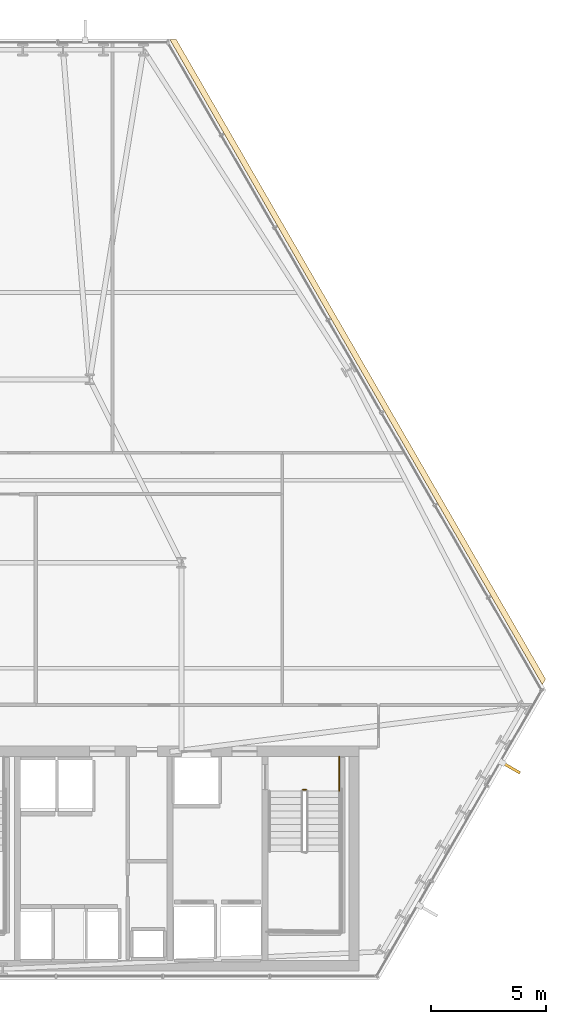
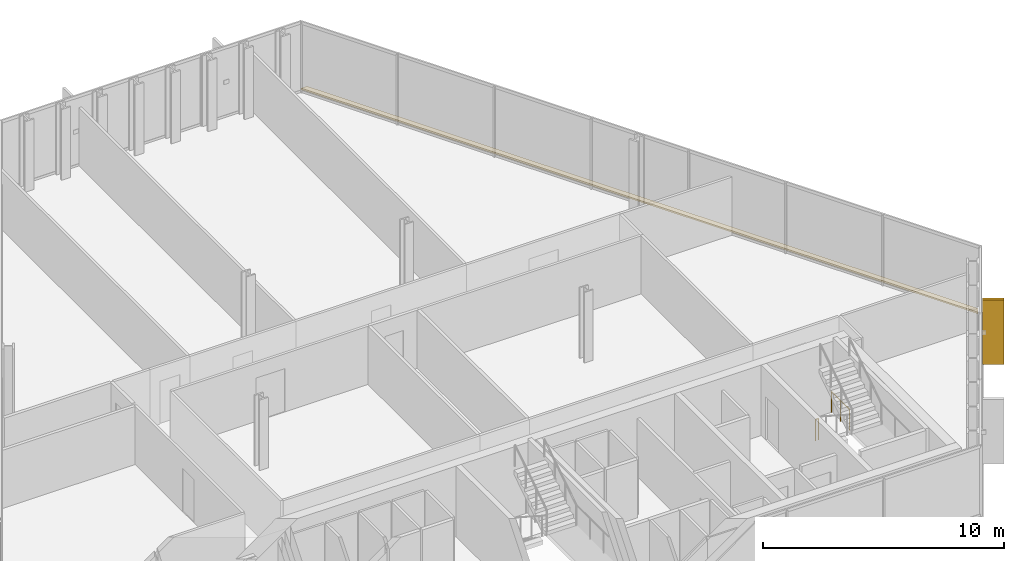
# One storey, part 32 of 33: 2 railings, 1 covering, 1 shading device.
"""IFC4 building model written with IfcOpenShell, lengths in metres."""

from ifc_helpers import new_model, si_unit, direction, frame, origin, origin_2d, place, context, subcontext, project, spatial, polyline, rectangle, circle, outline, extrude, material, layer, layer_set, type_object, element, save


model = new_model("IFC4")

# Units and contexts
model_context = context("Model", 3, precision=1e-05, world=origin(), true_north=direction((0.0, 1.0)))
body_context = subcontext(model_context, "Body", "Model", "MODEL_VIEW")
ifc_project = project(units=[si_unit("LENGTHUNIT", "METRE"), si_unit("AREAUNIT", "SQUARE_METRE"), si_unit("VOLUMEUNIT", "CUBIC_METRE"), si_unit("PLANEANGLEUNIT", "RADIAN"), si_unit("MASSUNIT", "GRAM", prefix="KILO")], contexts=[model_context])

# Site, building, storey
site_placement = place(None, origin())
site = spatial("IfcSite", under=ifc_project, at=site_placement, CompositionType="ELEMENT")
building_placement = place(site_placement, origin())
building = spatial("IfcBuilding", under=site, at=building_placement, Name="Ndaravel Arena Tower", CompositionType="ELEMENT")
storey_placement = place(building_placement, frame((0.0, 0.0, 81.60009765625)))
storey = spatial("IfcBuildingStorey", under=building, at=storey_placement, Name="L18", CompositionType="ELEMENT", Elevation=81.60009765625)

# Covering
ifc_material_1 = material(Name="Roofing Membrane", Category="finish")
ifc_layer_1 = layer(ifc_material_1, 0.080078125)
ifc_layer_set_1 = layer_set([ifc_layer_1], Name="Roofing Membrane")
covering_type = type_object("IfcCoveringType", Name="COV-ROOF-MEMB", PredefinedType="ROOFING", material=ifc_layer_set_1)
covering_placement = place(storey_placement, origin())
element("IfcCovering", 1, at=covering_placement, inside=storey, type_object=covering_type, Name="L18 Facet Setback Weathering Flashing", PredefinedType="ROOFING", context=body_context, shape_type="SweptSolid", body=[
    extrude(outline(polyline([(49.5791015625, 46.025634765625), (65.686279296875, 18.127197265625), (65.544921875, 17.882568359375), (49.296630859375, 46.025634765625), (49.5791015625, 46.025634765625)])), origin(), (0.0, 0.0, 1.0), 0.079833984375),
])

# Railings
ifc_material_2 = material(Name="Steel S355", Category="steel")
ifc_layer_2 = layer(ifc_material_2, 0.06005859375)
ifc_layer_set_2 = layer_set([ifc_layer_2], Name="Steel S355")
railing_type = type_object("IfcRailingType", Name="RAIL-STAIR-GD1100", PredefinedType="GUARDRAIL", material=ifc_layer_set_2)
railing_1_placement = place(storey_placement, frame((55.10009765625, 13.300048828125, 0.0)))
element("IfcRailing", 2, at=railing_1_placement, inside=storey, type_object=railing_type, Name="L18 ST-3 stair guard 4", PredefinedType="GUARDRAIL", context=body_context, shape_type="SweptSolid", body=[
    extrude(circle(Radius=0.02392578125, at=origin_2d()), frame((0.0, 0.0, 1.076171875), z_axis=(1.0, 0.0, 0.0), x_axis=(0.0, 1.0, 0.0)), (0.0, 0.0, 1.0), 0.139892578125),
    extrude(circle(Radius=0.02099609375, at=origin_2d()), origin(), (0.0, 0.0, 1.0), 1.052001953125),
    extrude(circle(Radius=0.02099609375, at=origin_2d()), frame((0.139892578125, 0.0, 0.0)), (0.0, 0.0, 1.0), 1.052001953125),
])
railing_2_placement = place(storey_placement, frame((56.68994140625, 14.75, 0.0)))
element("IfcRailing", 3, at=railing_2_placement, inside=storey, type_object=railing_type, Name="L18 ST-3 stair guard 5", PredefinedType="GUARDRAIL", context=body_context, shape_type="SweptSolid", body=[
    extrude(circle(Radius=0.02392578125, at=origin_2d()), frame((0.0, 0.0, 1.076171875), z_axis=(0.0, -1.0, 0.0), x_axis=(1.0, 0.0, 0.0)), (0.0, 0.0, 1.0), 1.5),
    extrude(circle(Radius=0.02099609375, at=origin_2d()), origin(), (0.0, 0.0, 1.0), 1.052001953125),
    extrude(circle(Radius=0.02099609375, at=origin_2d()), frame((0.0, -0.75, 0.0)), (0.0, 0.0, 1.0), 1.052001953125),
    extrude(circle(Radius=0.02099609375, at=origin_2d()), frame((0.0, -1.5, 0.0)), (0.0, 0.0, 1.0), 1.052001953125),
])

# Shading device
ifc_material_3 = material(Name="Masonry", Category="masonry")
shading_device_type = type_object("IfcShadingDeviceType", Name="SHD-MAZERAS-FIN", PredefinedType="SHUTTER", material=ifc_material_3)
shading_device_placement = place(storey_placement, frame((64.1787109375, 14.2587890625, 0.14990234375), z_axis=(0.0, 0.0, 1.0), x_axis=(0.866025403784, -0.5, 0.0)))
element("IfcShadingDevice", 4, at=shading_device_placement, inside=storey, type_object=shading_device_type, Name="L18 Mazeras Stone Solar Fin E2.2", PredefinedType="SHUTTER", context=body_context, shape_type="SweptSolid", body=[
    extrude(rectangle(XDim=0.89990234375, YDim=0.1201171875, at=origin_2d()), origin(), (0.0, 0.0, 1.0), 3.280029296875),
])

save(model, "model.ifc")
